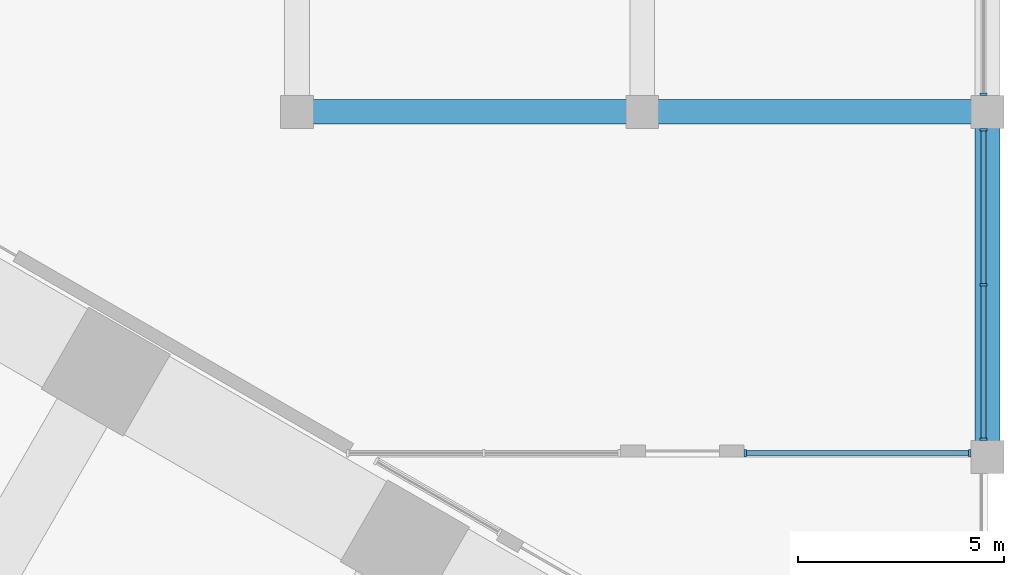
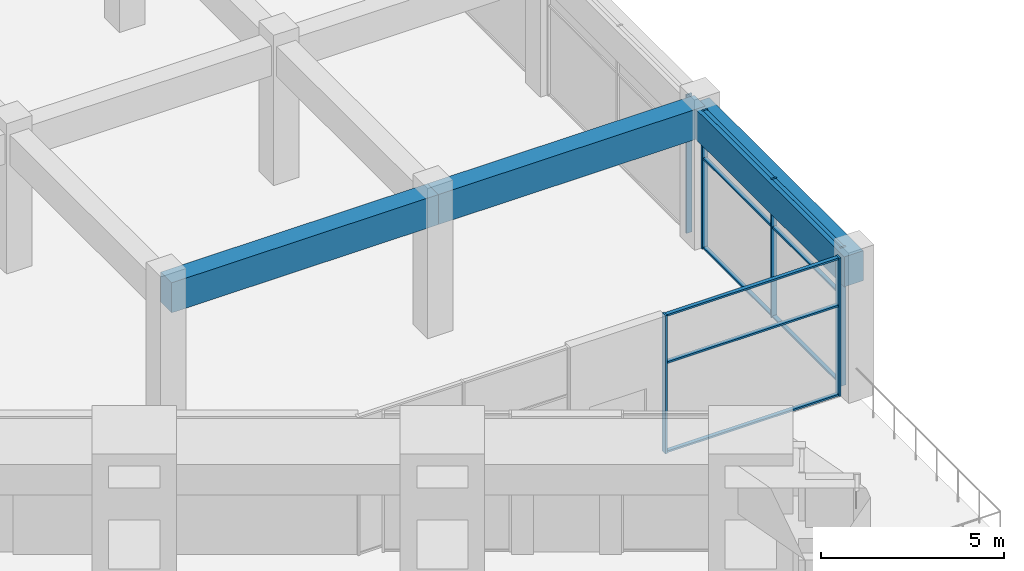
# One storey, part 14 of 33: 15 members, 3 beams, 3 elements without a shape of their own.
"""IFC4 building model written with IfcOpenShell, lengths in metres."""

from ifc_helpers import new_model, si_unit, direction, frame, origin, origin_2d, place, context, subcontext, project, spatial, rectangle, extrude, material, material_profile, profile_set, type_object, element, aggregate, save


model = new_model("IFC4")

# Units and contexts
model_context = context("Model", 3, precision=1e-05, world=origin(), true_north=direction((0.0, 1.0)))
body_context = subcontext(model_context, "Body", "Model", "MODEL_VIEW")
ifc_project = project(units=[si_unit("LENGTHUNIT", "METRE"), si_unit("AREAUNIT", "SQUARE_METRE"), si_unit("VOLUMEUNIT", "CUBIC_METRE"), si_unit("PLANEANGLEUNIT", "RADIAN"), si_unit("MASSUNIT", "GRAM", prefix="KILO")], contexts=[model_context])

# Site, building, storey
site_placement = place(None, origin())
site = spatial("IfcSite", under=ifc_project, at=site_placement, CompositionType="ELEMENT")
building_placement = place(site_placement, origin())
building = spatial("IfcBuilding", under=site, at=building_placement, Name="Impinga Residences", CompositionType="ELEMENT")
storey_placement = place(building_placement, frame((0.0, 0.0, 21.0)))
storey = spatial("IfcBuildingStorey", under=building, at=storey_placement, Name="L04", CompositionType="ELEMENT", Elevation=21.0)

# Curtain wall, member
ifc_material_1 = material(Name="Aluminium stick curtain wall", Category="aluminium")
curtain_wall_type = type_object("IfcCurtainWallType", Name="CW1 podium amenity curtain wall", PredefinedType="USERDEFINED", material=ifc_material_1)
curtain_wall_1_placement = place(storey_placement, origin())
curtain_wall_1 = element("IfcCurtainWall", 1, at=curtain_wall_1_placement, inside=storey, type_object=curtain_wall_type, Name="Curtain wall CW1 L04", ObjectType="STICK CURTAIN WALL", PredefinedType="USERDEFINED")
ifc_material_2 = material(Name="Aluminium mullion", Category="aluminium")
ifc_material_profile_1 = material_profile(ifc_material_2, rectangle(XDim=0.06005859375, YDim=0.179931640625, at=origin_2d()), Name="60x180 mullion")
ifc_profile_set_1 = profile_set([ifc_material_profile_1], Name="Aluminium mullion")
member_type_1 = type_object("IfcMemberType", Name="CW1-M mullion 60x180", PredefinedType="MULLION", material=ifc_profile_set_1)
member_1_placement = place(storey_placement, frame((50.300048828125, 0.43310546875, 0.0), z_axis=(0.0, 0.0, 1.0), x_axis=(0.0, -1.0, 0.0)))
member_1 = element("IfcMember", 2, at=member_1_placement, type_object=member_type_1, Name="CW1 mullion 3", PredefinedType="MULLION", context=body_context, shape_type="SweptSolid", body=[
    extrude(rectangle(XDim=0.06005859375, YDim=0.179931640625, at=origin_2d()), origin(), (0.0, 0.0, 1.0), 4.60009765625),
])
aggregate(curtain_wall_1, [member_1])

# Curtain wall, members
curtain_wall_2_placement = place(storey_placement, origin())
curtain_wall_2 = element("IfcCurtainWall", 3, at=curtain_wall_2_placement, inside=storey, type_object=curtain_wall_type, Name="Curtain wall CW1 L04", ObjectType="STICK CURTAIN WALL", PredefinedType="USERDEFINED")
member_2_placement = place(storey_placement, frame((50.300048828125, -0.43310546875, 0.0), z_axis=(0.0, 0.0, 1.0), x_axis=(0.0, -1.0, 0.0)))
member_2 = element("IfcMember", 4, at=member_2_placement, type_object=member_type_1, Name="CW1 mullion 1", PredefinedType="MULLION", context=body_context, shape_type="SweptSolid", body=[
    extrude(rectangle(XDim=0.06005859375, YDim=0.179931640625, at=origin_2d()), origin(), (0.0, 0.0, 1.0), 4.60009765625),
])
member_3_placement = place(storey_placement, frame((50.300048828125, -4.199951171875, 0.0), z_axis=(0.0, 0.0, 1.0), x_axis=(0.0, -1.0, 0.0)))
member_3 = element("IfcMember", 5, at=member_3_placement, type_object=member_type_1, Name="CW1 mullion 2", PredefinedType="MULLION", context=body_context, shape_type="SweptSolid", body=[
    extrude(rectangle(XDim=0.06005859375, YDim=0.179931640625, at=origin_2d()), origin(), (0.0, 0.0, 1.0), 4.60009765625),
])
member_4_placement = place(storey_placement, frame((50.300048828125, -7.967041015625, 0.0), z_axis=(0.0, 0.0, 1.0), x_axis=(0.0, -1.0, 0.0)))
member_4 = element("IfcMember", 6, at=member_4_placement, type_object=member_type_1, Name="CW1 mullion 3", PredefinedType="MULLION", context=body_context, shape_type="SweptSolid", body=[
    extrude(rectangle(XDim=0.06005859375, YDim=0.179931640625, at=origin_2d()), origin(), (0.0, 0.0, 1.0), 4.60009765625),
])

curtain_wall_3_placement = place(storey_placement, origin())
curtain_wall_3 = element("IfcCurtainWall", 7, at=curtain_wall_3_placement, inside=storey, type_object=curtain_wall_type, Name="Curtain wall CW1 L04", ObjectType="STICK CURTAIN WALL", PredefinedType="USERDEFINED")
member_5_placement = place(storey_placement, frame((49.967041015625, -8.300048828125, 0.0), z_axis=(0.0, 0.0, 1.0), x_axis=(-1.0, 0.0, 0.0)))
member_5 = element("IfcMember", 8, at=member_5_placement, type_object=member_type_1, Name="CW1 mullion 1", PredefinedType="MULLION", context=body_context, shape_type="SweptSolid", body=[
    extrude(rectangle(XDim=0.06005859375, YDim=0.179931640625, at=origin_2d()), origin(), (0.0, 0.0, 1.0), 4.60009765625),
])
member_6_placement = place(storey_placement, frame((44.504638671875, -8.300048828125, 0.0), z_axis=(0.0, 0.0, 1.0), x_axis=(-1.0, 0.0, 0.0)))
member_6 = element("IfcMember", 9, at=member_6_placement, type_object=member_type_1, Name="CW1 mullion 2", PredefinedType="MULLION", context=body_context, shape_type="SweptSolid", body=[
    extrude(rectangle(XDim=0.06005859375, YDim=0.179931640625, at=origin_2d()), origin(), (0.0, 0.0, 1.0), 4.60009765625),
])

# Member
ifc_material_3 = material(Name="Aluminium transom", Category="aluminium")
ifc_material_profile_2 = material_profile(ifc_material_3, rectangle(XDim=0.06005859375, YDim=0.1201171875, at=origin_2d()), Name="60x120 transom")
ifc_profile_set_2 = profile_set([ifc_material_profile_2], Name="Aluminium transom")
member_type_2 = type_object("IfcMemberType", Name="CW1-T transom 60x120", PredefinedType="USERDEFINED", material=ifc_profile_set_2)
member_7_placement = place(storey_placement, frame((50.300048828125, -0.462890625, 0.030029296875), z_axis=(0.0, -1.0, 0.0), x_axis=(0.0, 0.0, 1.0)))
member_7 = element("IfcMember", 10, at=member_7_placement, type_object=member_type_2, Name="CW1 transom 1.1", ObjectType="TRANSOM", PredefinedType="USERDEFINED", context=body_context, shape_type="SweptSolid", body=[
    extrude(rectangle(XDim=0.06005859375, YDim=0.1201171875, at=origin_2d()), origin(), (0.0, 0.0, 1.0), 3.70703125),
])

member_8_placement = place(storey_placement, frame((50.300048828125, -0.462890625, 3.0), z_axis=(0.0, -1.0, 0.0), x_axis=(0.0, 0.0, 1.0)))
member_8 = element("IfcMember", 11, at=member_8_placement, type_object=member_type_2, Name="CW1 transom 1.2", ObjectType="TRANSOM", PredefinedType="USERDEFINED", context=body_context, shape_type="SweptSolid", body=[
    extrude(rectangle(XDim=0.06005859375, YDim=0.1201171875, at=origin_2d()), origin(), (0.0, 0.0, 1.0), 3.70703125),
])

member_9_placement = place(storey_placement, frame((50.300048828125, -0.462890625, 4.570068359375), z_axis=(0.0, -1.0, 0.0), x_axis=(0.0, 0.0, 1.0)))
member_9 = element("IfcMember", 12, at=member_9_placement, type_object=member_type_2, Name="CW1 transom 1.3", ObjectType="TRANSOM", PredefinedType="USERDEFINED", context=body_context, shape_type="SweptSolid", body=[
    extrude(rectangle(XDim=0.06005859375, YDim=0.1201171875, at=origin_2d()), origin(), (0.0, 0.0, 1.0), 3.70703125),
])

member_10_placement = place(storey_placement, frame((50.300048828125, -4.22998046875, 0.030029296875), z_axis=(0.0, -1.0, 0.0), x_axis=(0.0, 0.0, 1.0)))
member_10 = element("IfcMember", 13, at=member_10_placement, type_object=member_type_2, Name="CW1 transom 2.1", ObjectType="TRANSOM", PredefinedType="USERDEFINED", context=body_context, shape_type="SweptSolid", body=[
    extrude(rectangle(XDim=0.06005859375, YDim=0.1201171875, at=origin_2d()), origin(), (0.0, 0.0, 1.0), 3.70703125),
])

member_11_placement = place(storey_placement, frame((50.300048828125, -4.22998046875, 3.0), z_axis=(0.0, -1.0, 0.0), x_axis=(0.0, 0.0, 1.0)))
member_11 = element("IfcMember", 14, at=member_11_placement, type_object=member_type_2, Name="CW1 transom 2.2", ObjectType="TRANSOM", PredefinedType="USERDEFINED", context=body_context, shape_type="SweptSolid", body=[
    extrude(rectangle(XDim=0.06005859375, YDim=0.1201171875, at=origin_2d()), origin(), (0.0, 0.0, 1.0), 3.70703125),
])

member_12_placement = place(storey_placement, frame((50.300048828125, -4.22998046875, 4.570068359375), z_axis=(0.0, -1.0, 0.0), x_axis=(0.0, 0.0, 1.0)))
member_12 = element("IfcMember", 15, at=member_12_placement, type_object=member_type_2, Name="CW1 transom 2.3", ObjectType="TRANSOM", PredefinedType="USERDEFINED", context=body_context, shape_type="SweptSolid", body=[
    extrude(rectangle(XDim=0.06005859375, YDim=0.1201171875, at=origin_2d()), origin(), (0.0, 0.0, 1.0), 3.70703125),
])

aggregate(curtain_wall_2, [member_2, member_3, member_4, member_7, member_8, member_9, member_10, member_11, member_12])

member_13_placement = place(storey_placement, frame((49.93701171875, -8.300048828125, 0.030029296875), z_axis=(-1.0, 0.0, 0.0), x_axis=(0.0, 0.0, 1.0)))
member_13 = element("IfcMember", 16, at=member_13_placement, type_object=member_type_2, Name="CW1 transom 1.1", ObjectType="TRANSOM", PredefinedType="USERDEFINED", context=body_context, shape_type="SweptSolid", body=[
    extrude(rectangle(XDim=0.06005859375, YDim=0.1201171875, at=origin_2d()), origin(), (0.0, 0.0, 1.0), 5.40234375),
])

member_14_placement = place(storey_placement, frame((49.93701171875, -8.300048828125, 3.0), z_axis=(-1.0, 0.0, 0.0), x_axis=(0.0, 0.0, 1.0)))
member_14 = element("IfcMember", 17, at=member_14_placement, type_object=member_type_2, Name="CW1 transom 1.2", ObjectType="TRANSOM", PredefinedType="USERDEFINED", context=body_context, shape_type="SweptSolid", body=[
    extrude(rectangle(XDim=0.06005859375, YDim=0.1201171875, at=origin_2d()), origin(), (0.0, 0.0, 1.0), 5.40234375),
])

member_15_placement = place(storey_placement, frame((49.93701171875, -8.300048828125, 4.570068359375), z_axis=(-1.0, 0.0, 0.0), x_axis=(0.0, 0.0, 1.0)))
member_15 = element("IfcMember", 18, at=member_15_placement, type_object=member_type_2, Name="CW1 transom 1.3", ObjectType="TRANSOM", PredefinedType="USERDEFINED", context=body_context, shape_type="SweptSolid", body=[
    extrude(rectangle(XDim=0.06005859375, YDim=0.1201171875, at=origin_2d()), origin(), (0.0, 0.0, 1.0), 5.40234375),
])

aggregate(curtain_wall_3, [member_5, member_6, member_13, member_14, member_15])

# Beams
ifc_material_4 = material(Name="Concrete C60/75", Category="concrete")
ifc_material_profile_3 = material_profile(ifc_material_4, rectangle(XDim=0.60009765625, YDim=1.0, at=origin_2d()), Name="RC 600x1000")
ifc_profile_set_3 = profile_set([ifc_material_profile_3], Name="Concrete C60/75")
beam_type = type_object("IfcBeamType", Name="PB2 600x1000 podium beam", PredefinedType="BEAM", material=ifc_profile_set_3)
for number, where, z_axis, x_axis, name in (
    (19, (33.60009765625, 0.0, 4.10009765625), (1.0, 0.0, 0.0), (0.0, 1.0, 0.0), "Beam PB2 F/11-12 level L05"),
    (20, (42.0, 0.0, 4.10009765625), (1.0, 0.0, 0.0), (0.0, 1.0, 0.0), "Beam PB2 F/12-13 level L05"),
    (21, (50.39990234375, -8.39990234375, 4.10009765625), (0.0, 1.0, 0.0), (-1.0, 0.0, 0.0), "Beam PB2 13/E-F level L05"),
):
    element("IfcBeam", number, at=place(storey_placement, frame(where, z_axis=z_axis, x_axis=x_axis)), inside=storey, type_object=beam_type, Name=name, PredefinedType="BEAM", context=body_context, shape_type="SweptSolid", body=[
        extrude(rectangle(XDim=0.60009765625, YDim=1.0, at=origin_2d()), origin(), (0.0, 0.0, 1.0), 8.39990234375),
    ])

save(model, "model.ifc")
